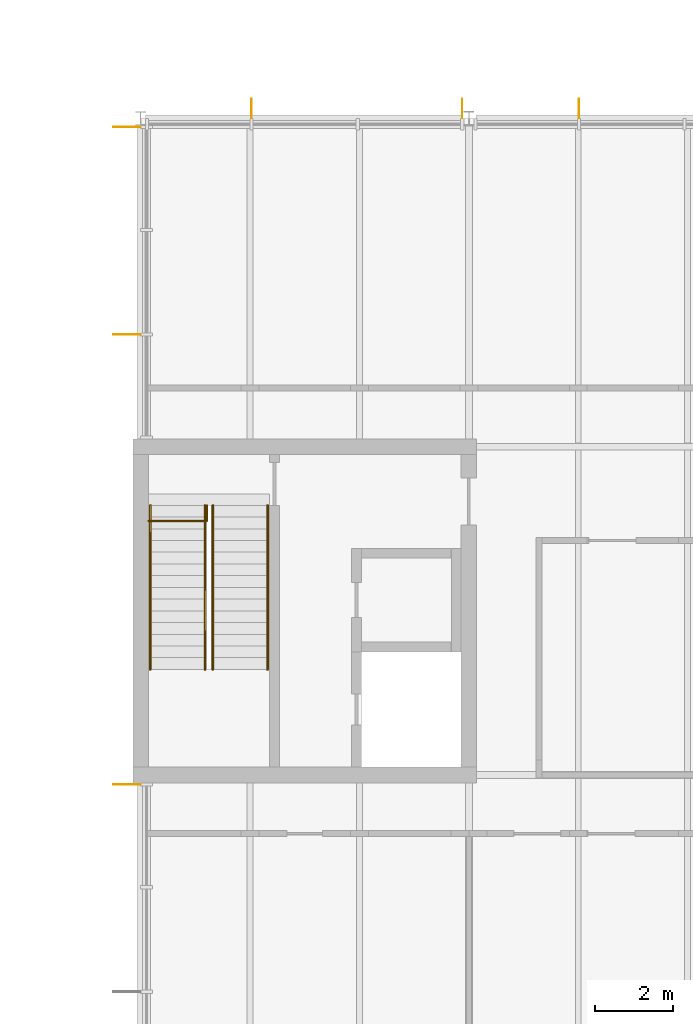
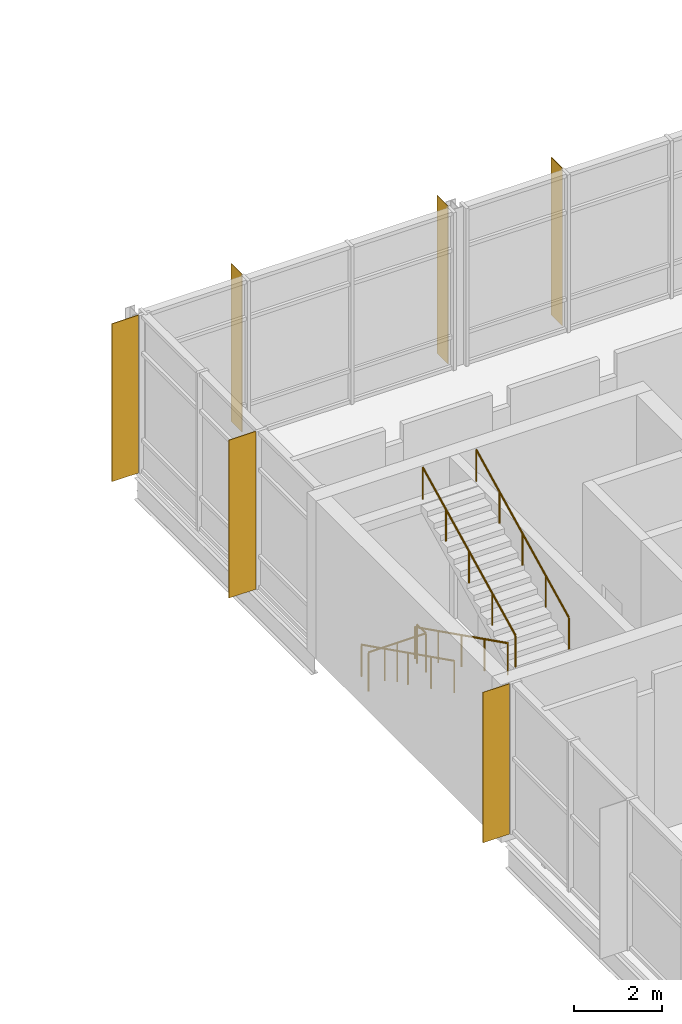
# One storey, part 70 of 72: 6 shading devices, 5 railings.
"""IFC4 building model written with IfcOpenShell, lengths in metres."""

from ifc_helpers import new_model, si_unit, direction, frame, origin, origin_2d, place, context, subcontext, project, spatial, rectangle, circle, extrude, material, layer, layer_set, type_object, element, save


model = new_model("IFC4")

# Units and contexts
model_context = context("Model", 3, precision=1e-05, world=origin(), true_north=direction((0.0, 1.0)))
body_context = subcontext(model_context, "Body", "Model", "MODEL_VIEW")
ifc_project = project(units=[si_unit("LENGTHUNIT", "METRE"), si_unit("AREAUNIT", "SQUARE_METRE"), si_unit("VOLUMEUNIT", "CUBIC_METRE"), si_unit("PLANEANGLEUNIT", "RADIAN"), si_unit("MASSUNIT", "GRAM", prefix="KILO")], contexts=[model_context])

# Site, building, storey
site_placement = place(None, origin())
site = spatial("IfcSite", under=ifc_project, at=site_placement, CompositionType="ELEMENT")
building_placement = place(site_placement, origin())
building = spatial("IfcBuilding", under=site, at=building_placement, Name="Hlaing Beacon Police Headquarters", CompositionType="ELEMENT")
storey_placement = place(building_placement, frame((0.0, 0.0, 14.39990234375)))
storey = spatial("IfcBuildingStorey", under=building, at=storey_placement, Name="L03", CompositionType="ELEMENT", Elevation=14.39990234375)

# Shading devices
ifc_material_1 = material(Name="Aluminium 6063-T5 anodised", Category="aluminium")
ifc_layer_1 = layer(ifc_material_1, 0.011962890625)
ifc_layer_set_1 = layer_set([ifc_layer_1], Name="Aluminium 6063-T5 anodised")
shading_device_type_1 = type_object("IfcShadingDeviceType", Name="Aluminium fin 12x500", PredefinedType="JALOUSIE", material=ifc_layer_set_1)
for number, where, z_axis, x_axis, name in (
    (1, (103.623779296875, 92.64990234375, 0.0), (0.0, 0.0, 1.0), (-1.0, 0.0, 0.0), "Fin L03 N031.2"),
    (2, (100.631591796875, 92.64990234375, 0.0), (0.0, 0.0, 1.0), (-1.0, 0.0, 0.0), "Fin L03 N032.0"),
    (3, (95.241943359375, 92.64990234375, 0.0), (0.0, 0.0, 1.0), (-1.0, 0.0, 0.0), "Fin L03 N032.2"),
):
    element("IfcShadingDevice", number, at=place(storey_placement, frame(where, z_axis=z_axis, x_axis=x_axis)), inside=storey, type_object=shading_device_type_1, Name=name, PredefinedType="JALOUSIE", context=body_context, shape_type="SweptSolid", body=[
        extrude(rectangle(XDim=0.011962890625, YDim=0.5, at=origin_2d()), origin(), (0.0, 0.0, 1.0), 4.3701171875),
    ])
ifc_material_2 = material(Name="Aluminium 6063-T5 anodised", Category="aluminium")
ifc_layer_2 = layer(ifc_material_2, 0.01611328125)
ifc_layer_set_2 = layer_set([ifc_layer_2], Name="Aluminium 6063-T5 anodised")
shading_device_type_2 = type_object("IfcShadingDeviceType", Name="Aluminium fin 16x700", PredefinedType="JALOUSIE", material=ifc_layer_set_2)
for number, where, z_axis, x_axis, name in (
    (4, (92.050048828125, 92.18359375, 0.0), (0.0, 0.0, 1.0), (0.0, -1.0, 0.0), "Fin L03 W033.0"),
    (5, (92.050048828125, 86.87451171875, 0.0), (0.0, 0.0, 1.0), (0.0, -1.0, 0.0), "Fin L03 W033.2"),
):
    element("IfcShadingDevice", number, at=place(storey_placement, frame(where, z_axis=z_axis, x_axis=x_axis)), inside=storey, type_object=shading_device_type_2, Name=name, PredefinedType="JALOUSIE", context=body_context, shape_type="SweptSolid", body=[
        extrude(rectangle(XDim=0.01611328125, YDim=0.699951171875, at=origin_2d()), origin(), (0.0, 0.0, 1.0), 4.3701171875),
    ])
shading_device_placement = place(storey_placement, frame((92.050048828125, 75.360107421875, 0.2080078125), z_axis=(0.0, 0.0, 1.0), x_axis=(0.0, -1.0, 0.0)))
element("IfcShadingDevice", 6, at=shading_device_placement, inside=storey, type_object=shading_device_type_2, Name="Fin L03 W034.0", PredefinedType="JALOUSIE", context=body_context, shape_type="SweptSolid", body=[
    extrude(rectangle(XDim=0.01611328125, YDim=0.699951171875, at=origin_2d()), origin(), (0.0, 0.0, 1.0), 4.162109375),
])

# Railings
ifc_material_3 = material(Name="Stainless steel", Category="steel")
railing_type_1 = type_object("IfcRailingType", Name="Stair guard 1100", PredefinedType="GUARDRAIL", material=ifc_material_3)
railing_placement = place(storey_placement, frame((92.60009765625, 82.10009765625, 0.0)))
element("IfcRailing", 7, at=railing_placement, inside=storey, type_object=railing_type_1, Name="Guard ST-Q", PredefinedType="GUARDRAIL", context=body_context, shape_type="SweptSolid", body=[
    extrude(circle(Radius=0.02392578125, at=origin_2d()), frame((0.0, 0.0, 1.076171875), z_axis=(1.0, 0.0, 0.0), x_axis=(0.0, 1.0, 0.0)), (0.0, 0.0, 1.0), 1.5),
    extrude(circle(Radius=0.02392578125, at=origin_2d()), frame((1.5, 0.0, 1.076171875), z_axis=(0.0, 1.0, 0.0), x_axis=(-1.0, 0.0, 0.0)), (0.0, 0.0, 1.0), 0.39990234375),
    extrude(circle(Radius=0.02099609375, at=origin_2d()), origin(), (0.0, 0.0, 1.0), 1.052001953125),
    extrude(circle(Radius=0.02099609375, at=origin_2d()), frame((0.75, 0.0, 0.0)), (0.0, 0.0, 1.0), 1.052001953125),
    extrude(circle(Radius=0.02099609375, at=origin_2d()), frame((1.5, 0.0, 0.0)), (0.0, 0.0, 1.0), 1.052001953125),
    extrude(circle(Radius=0.02099609375, at=origin_2d()), frame((1.5, 0.39990234375, 0.0)), (0.0, 0.0, 1.0), 1.052001953125),
])
ifc_material_4 = material(Name="Stainless steel", Category="steel")
railing_type_2 = type_object("IfcRailingType", Name="Stair handrail 900", PredefinedType="HANDRAIL", material=ifc_material_4)
for number, where, name in (
    (8, (92.64990234375, 82.5, 0.150146484375), "Handrail ST-Q"),
    (9, (94.050048828125, 82.5, 0.150146484375), "Handrail ST-Q"),
):
    element("IfcRailing", number, at=place(storey_placement, frame(where)), inside=storey, type_object=railing_type_2, Name=name, PredefinedType="HANDRAIL", context=body_context, shape_type="SweptSolid", body=[
        extrude(circle(Radius=0.02392578125, at=origin_2d()), frame((0.0, 0.0, 0.8759765625), z_axis=(0.0, -0.894437589381, 0.447192798132), x_axis=(1.0, 0.0, 0.0)), (0.0, 0.0, 1.0), 4.695556640625),
        extrude(circle(Radius=0.02099609375, at=origin_2d()), origin(), (0.0, 0.0, 1.0), 0.851806640625),
        extrude(circle(Radius=0.02099609375, at=origin_2d()), frame((0.0, -1.050048828125, 0.52490234375)), (0.0, 0.0, 1.0), 0.851806640625),
        extrude(circle(Radius=0.02099609375, at=origin_2d()), frame((0.0, -2.10009765625, 1.0498046875)), (0.0, 0.0, 1.0), 0.851806640625),
        extrude(circle(Radius=0.02099609375, at=origin_2d()), frame((0.0, -3.14990234375, 1.574951171875)), (0.0, 0.0, 1.0), 0.851806640625),
        extrude(circle(Radius=0.02099609375, at=origin_2d()), frame((0.0, -4.199951171875, 2.099853515625)), (0.0, 0.0, 1.0), 0.851806640625),
    ])
for number, where, name in (
    (10, (94.25, 78.300048828125, 2.400146484375), "Handrail ST-Q"),
    (11, (95.64990234375, 78.300048828125, 2.400146484375), "Handrail ST-Q"),
):
    element("IfcRailing", number, at=place(storey_placement, frame(where)), inside=storey, type_object=railing_type_2, Name=name, PredefinedType="HANDRAIL", context=body_context, shape_type="SweptSolid", body=[
        extrude(circle(Radius=0.02392578125, at=origin_2d()), frame((0.0, 0.0, 0.8759765625), z_axis=(0.0, 0.894437589381, 0.447192798132), x_axis=(-1.0, 0.0, 0.0)), (0.0, 0.0, 1.0), 4.695556640625),
        extrude(circle(Radius=0.02099609375, at=origin_2d()), origin(), (0.0, 0.0, 1.0), 0.851806640625),
        extrude(circle(Radius=0.02099609375, at=origin_2d()), frame((0.0, 1.050048828125, 0.52490234375)), (0.0, 0.0, 1.0), 0.851806640625),
        extrude(circle(Radius=0.02099609375, at=origin_2d()), frame((0.0, 2.10009765625, 1.0498046875)), (0.0, 0.0, 1.0), 0.851806640625),
        extrude(circle(Radius=0.02099609375, at=origin_2d()), frame((0.0, 3.14990234375, 1.574951171875)), (0.0, 0.0, 1.0), 0.851806640625),
        extrude(circle(Radius=0.02099609375, at=origin_2d()), frame((0.0, 4.199951171875, 2.099853515625)), (0.0, 0.0, 1.0), 0.851806640625),
    ])

save(model, "model.ifc")
